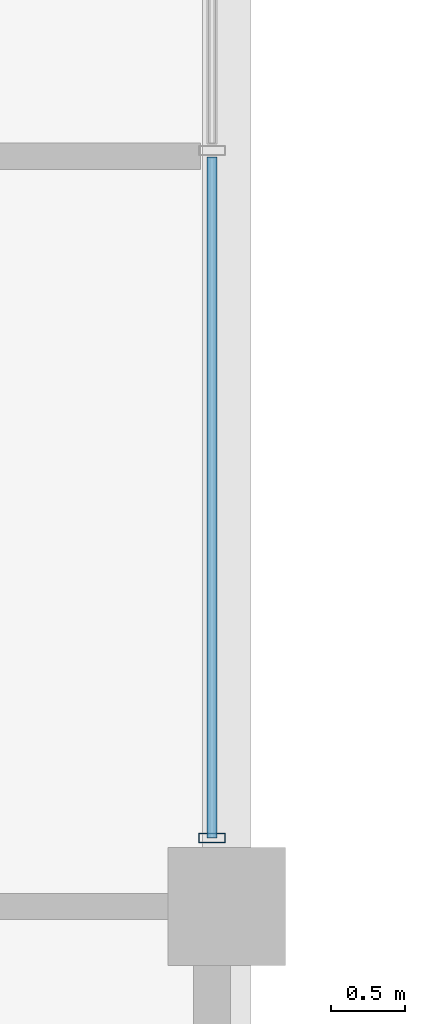
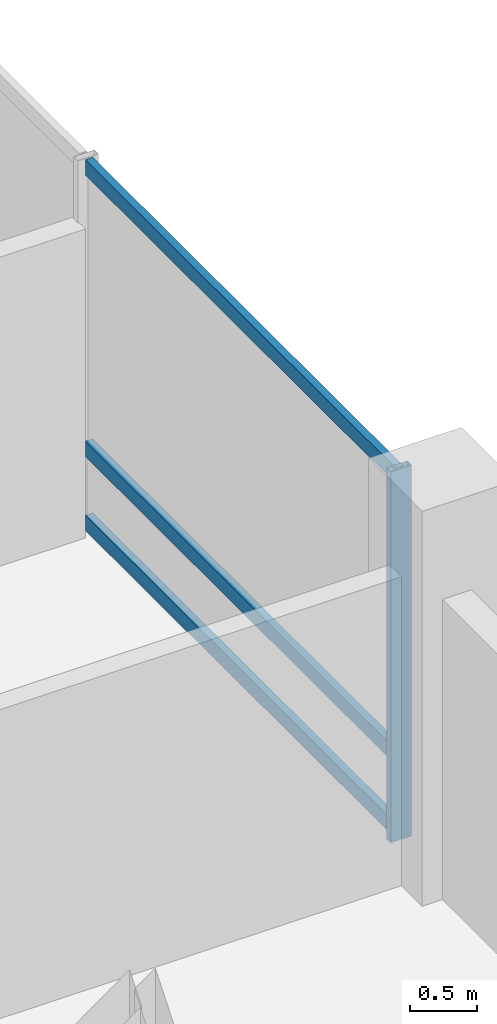
# One storey, part 8 of 21: 4 members, 1 element without a shape of its own.
"""IFC4 building model written with IfcOpenShell, lengths in metres."""

from ifc_helpers import new_model, si_unit, direction, frame, origin, origin_2d, place, context, subcontext, project, spatial, hollow_rectangle, extrude, material, layer, layer_set, material_profile, profile_set, type_object, element, aggregate, save


model = new_model("IFC4")

# Units and contexts
model_context = context("Model", 3, precision=1e-05, world=origin(), true_north=direction((0.0, 1.0)))
body_context = subcontext(model_context, "Body", "Model", "MODEL_VIEW")
ifc_project = project(units=[si_unit("LENGTHUNIT", "METRE"), si_unit("AREAUNIT", "SQUARE_METRE"), si_unit("VOLUMEUNIT", "CUBIC_METRE"), si_unit("PLANEANGLEUNIT", "RADIAN"), si_unit("MASSUNIT", "GRAM", prefix="KILO")], contexts=[model_context])

# Site, building, storey
site_placement = place(None, origin())
site = spatial("IfcSite", under=ifc_project, at=site_placement, CompositionType="ELEMENT")
building_placement = place(site_placement, origin())
building = spatial("IfcBuilding", under=site, at=building_placement, Name="Barlavira Tower and Art Museum", CompositionType="ELEMENT")
storey_placement = place(building_placement, frame((0.0, 0.0, 86.39990234375)))
storey = spatial("IfcBuildingStorey", under=building, at=storey_placement, Name="L21", CompositionType="ELEMENT", Elevation=86.39990234375)

# Curtain wall, members
ifc_material_1 = material(Name="Low-iron coastal laminated glass", Category="glass")
ifc_layer = layer(ifc_material_1, 0.179931640625, Name="Low-iron coastal laminated glass")
ifc_layer_set = layer_set([ifc_layer], Name="Low-iron coastal laminated glass")
curtain_wall_type = type_object("IfcCurtainWallType", Name="Pale-Metal Unitised Curtain Wall Zone 1", PredefinedType="NOTDEFINED", material=ifc_layer_set)
curtain_wall_placement = place(storey_placement, origin())
curtain_wall = element("IfcCurtainWall", 1, at=curtain_wall_placement, inside=storey, type_object=curtain_wall_type, Name="L21 Curtain Wall CW1-L21-E-B3", PredefinedType="NOTDEFINED")
ifc_material_2 = material(Name="Pale anodised aluminium", Category="aluminium")
ifc_material_profile_1 = material_profile(ifc_material_2, hollow_rectangle(XDim=0.06494140625, YDim=0.179931640625, WallThickness=0.00390625, at=origin_2d()), Name="ALU-MULL 65x180x4")
ifc_profile_set_1 = profile_set([ifc_material_profile_1], Name="Pale anodised aluminium")
member_type_1 = type_object("IfcMemberType", Name="Curtain Wall Pale-Metal Mullion 65x180", PredefinedType="MULLION", material=ifc_profile_set_1)
member_1_placement = place(storey_placement, frame((21.89990234375, -7.034912109375, 0.0), z_axis=(0.0, 0.0, 1.0), x_axis=(0.0, 1.0, 0.0)))
member_1 = element("IfcMember", 2, at=member_1_placement, type_object=member_type_1, Name="CW1-L21-E-B3 Mullion 0", PredefinedType="MULLION", context=body_context, shape_type="SweptSolid", body=[
    extrude(hollow_rectangle(XDim=0.06494140625, YDim=0.179931640625, WallThickness=0.00390625, at=origin_2d()), origin(), (0.0, 0.0, 1.0), 3.380126953125),
])
ifc_material_profile_2 = material_profile(ifc_material_2, hollow_rectangle(XDim=0.06494140625, YDim=0.139892578125, WallThickness=0.00390625, at=origin_2d()), Name="ALU-TRAN 65x140x4")
ifc_profile_set_2 = profile_set([ifc_material_profile_2], Name="Pale anodised aluminium")
member_type_2 = type_object("IfcMemberType", Name="Curtain Wall Pale-Metal Transom 65x140", PredefinedType="USERDEFINED", material=ifc_profile_set_2)
member_2_placement = place(storey_placement, frame((21.89990234375, -7.034912109375, 0.070068359375), z_axis=(0.0, 1.0, 0.0), x_axis=(-1.0, 0.0, 0.0)))
member_2 = element("IfcMember", 3, at=member_2_placement, type_object=member_type_2, Name="CW1-L21-E-B3 Transom 0.1", ObjectType="TRANSOM", PredefinedType="USERDEFINED", context=body_context, shape_type="SweptSolid", body=[
    extrude(hollow_rectangle(XDim=0.06494140625, YDim=0.139892578125, WallThickness=0.00390625, at=origin_2d()), origin(), (0.0, 0.0, 1.0), 4.6298828125),
])
member_3_placement = place(storey_placement, frame((21.89990234375, -7.034912109375, 0.744140625), z_axis=(0.0, 1.0, 0.0), x_axis=(-1.0, 0.0, 0.0)))
member_3 = element("IfcMember", 4, at=member_3_placement, type_object=member_type_2, Name="CW1-L21-E-B3 Transom 0.2", ObjectType="TRANSOM", PredefinedType="USERDEFINED", context=body_context, shape_type="SweptSolid", body=[
    extrude(hollow_rectangle(XDim=0.06494140625, YDim=0.139892578125, WallThickness=0.00390625, at=origin_2d()), origin(), (0.0, 0.0, 1.0), 4.6298828125),
])
member_4_placement = place(storey_placement, frame((21.89990234375, -7.034912109375, 3.31005859375), z_axis=(0.0, 1.0, 0.0), x_axis=(-1.0, 0.0, 0.0)))
member_4 = element("IfcMember", 5, at=member_4_placement, type_object=member_type_2, Name="CW1-L21-E-B3 Transom 0.3", ObjectType="TRANSOM", PredefinedType="USERDEFINED", context=body_context, shape_type="SweptSolid", body=[
    extrude(hollow_rectangle(XDim=0.06494140625, YDim=0.139892578125, WallThickness=0.00390625, at=origin_2d()), origin(), (0.0, 0.0, 1.0), 4.6298828125),
])
aggregate(curtain_wall, [member_1, member_2, member_3, member_4])

save(model, "model.ifc")
